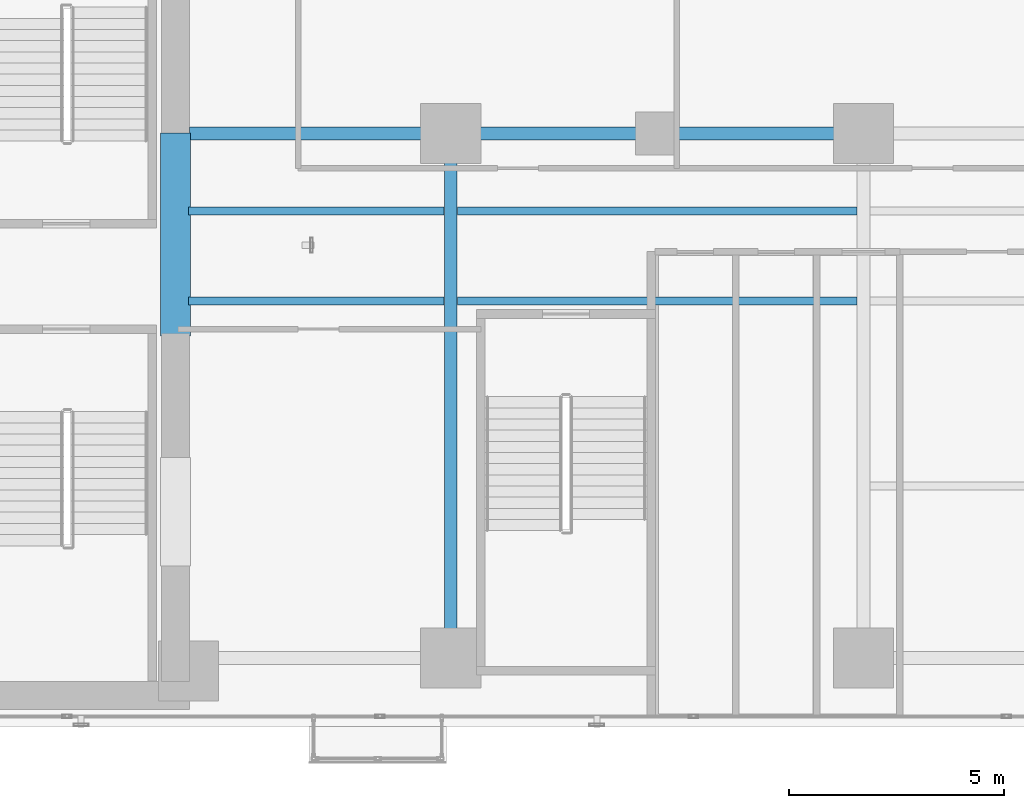
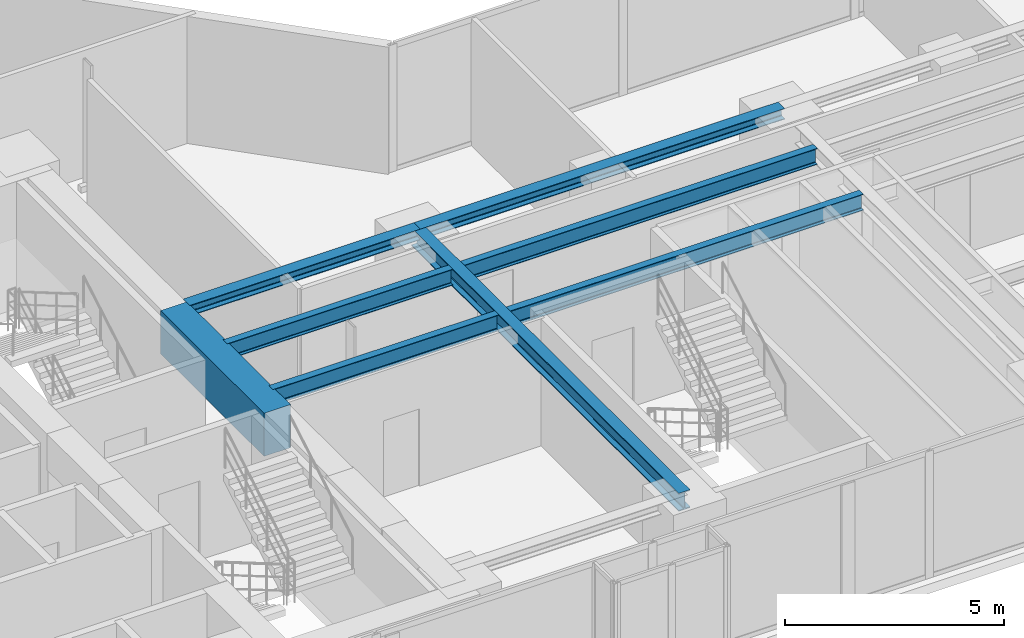
# One storey, part 5 of 24: 8 beams.
"""IFC4 building model written with IfcOpenShell, lengths in metres."""

from ifc_helpers import new_model, si_unit, direction, frame, origin, origin_2d, place, context, subcontext, project, spatial, rectangle, i_section, extrude, material, material_profile, profile_set, type_object, element, save


model = new_model("IFC4")

# Units and contexts
model_context = context("Model", 3, precision=1e-05, world=origin(), true_north=direction((0.0, 1.0)))
body_context = subcontext(model_context, "Body", "Model", "MODEL_VIEW")
ifc_project = project(units=[si_unit("LENGTHUNIT", "METRE"), si_unit("AREAUNIT", "SQUARE_METRE"), si_unit("VOLUMEUNIT", "CUBIC_METRE"), si_unit("PLANEANGLEUNIT", "RADIAN"), si_unit("MASSUNIT", "GRAM", prefix="KILO")], contexts=[model_context])

# Site, building, storey
site_placement = place(None, origin())
site = spatial("IfcSite", under=ifc_project, at=site_placement, CompositionType="ELEMENT")
building_placement = place(site_placement, origin())
building = spatial("IfcBuilding", under=site, at=building_placement, Name="Kolvaren Waterfront Exchange", CompositionType="ELEMENT")
storey_placement = place(building_placement, frame((0.0, 0.0, 91.699951171875)))
storey = spatial("IfcBuildingStorey", under=building, at=storey_placement, Name="L23", CompositionType="ELEMENT", Elevation=91.699951171875)

# Beams
ifc_material_1 = material(Name="Steel S355", Category="steel")
ifc_material_profile_1 = material_profile(ifc_material_1, i_section(OverallWidth=0.300048828125, OverallDepth=0.300048828125, WebThickness=0.010986328125, FlangeThickness=0.01904296875, FilletRadius=0.027099609375, at=origin_2d()), Name="HEB300")
ifc_profile_set_1 = profile_set([ifc_material_profile_1], Name="Steel S355")
beam_type_1 = type_object("IfcBeamType", Name="STR-BM-HEB300", PredefinedType="SPANDREL", material=ifc_profile_set_1)
beam_1_placement = place(storey_placement, frame((21.125, 17.39990234375, 3.39013671875), z_axis=(1.0, 0.0, 0.0), x_axis=(0.0, 1.0, 0.0)))
element("IfcBeam", 1, at=beam_1_placement, inside=storey, type_object=beam_type_1, Name="L23 east-arm spandrel N1", PredefinedType="SPANDREL", context=body_context, shape_type="SweptSolid", body=[
    extrude(i_section(OverallWidth=0.300048828125, OverallDepth=0.300048828125, WebThickness=0.010986328125, FlangeThickness=0.01904296875, FilletRadius=0.027099609375, at=origin_2d()), origin(), (0.0, 0.0, 1.0), 6.074951171875),
])
beam_2_placement = place(storey_placement, frame((27.199951171875, 17.39990234375, 3.39013671875), z_axis=(1.0, 0.0, 0.0), x_axis=(0.0, 1.0, 0.0)))
element("IfcBeam", 2, at=beam_2_placement, inside=storey, type_object=beam_type_1, Name="L23 east-arm spandrel N2", PredefinedType="SPANDREL", context=body_context, shape_type="SweptSolid", body=[
    extrude(i_section(OverallWidth=0.300048828125, OverallDepth=0.300048828125, WebThickness=0.010986328125, FlangeThickness=0.01904296875, FilletRadius=0.027099609375, at=origin_2d()), origin(), (0.0, 0.0, 1.0), 9.60009765625),
])
ifc_material_profile_2 = material_profile(ifc_material_1, i_section(OverallWidth=0.300048828125, OverallDepth=0.5, WebThickness=0.014404296875, FlangeThickness=0.028076171875, FilletRadius=0.027099609375, at=origin_2d()), Name="HEB500")
ifc_profile_set_2 = profile_set([ifc_material_profile_2], Name="Steel S355")
beam_type_2 = type_object("IfcBeamType", Name="STR-BM-HEB500", PredefinedType="BEAM", material=ifc_profile_set_2)
beam_3_placement = place(storey_placement, frame((27.199951171875, 5.199951171875, 3.2900390625), z_axis=(0.0, 1.0, 0.0), x_axis=(-1.0, 0.0, 0.0)))
element("IfcBeam", 3, at=beam_3_placement, inside=storey, type_object=beam_type_2, Name="L23 east-arm transverse girder X27", PredefinedType="BEAM", context=body_context, shape_type="SweptSolid", body=[
    extrude(i_section(OverallWidth=0.300048828125, OverallDepth=0.5, WebThickness=0.014404296875, FlangeThickness=0.028076171875, FilletRadius=0.027099609375, at=origin_2d()), origin(), (0.0, 0.0, 1.0), 12.199951171875),
])
ifc_material_profile_3 = material_profile(ifc_material_1, i_section(OverallWidth=0.18994140625, OverallDepth=0.449951171875, WebThickness=0.009521484375, FlangeThickness=0.0146484375, FilletRadius=0.02099609375, at=origin_2d()), Name="IPE450")
ifc_profile_set_3 = profile_set([ifc_material_profile_3], Name="Steel S355")
beam_type_3 = type_object("IfcBeamType", Name="STR-BM-IPE450", PredefinedType="JOIST", material=ifc_profile_set_3)
for number, where, z_axis, x_axis, name in (
    (4, (21.10009765625, 13.5, 3.31494140625), (1.0, 0.0, 0.0), (0.0, 1.0, 0.0), "L23 east-arm composite joist 1A"),
    (5, (21.10009765625, 15.60009765625, 3.31494140625), (1.0, 0.0, 0.0), (0.0, 1.0, 0.0), "L23 east-arm composite joist 1C"),
):
    element("IfcBeam", number, at=place(storey_placement, frame(where, z_axis=z_axis, x_axis=x_axis)), inside=storey, type_object=beam_type_3, Name=name, PredefinedType="JOIST", context=body_context, shape_type="SweptSolid", body=[
        extrude(i_section(OverallWidth=0.18994140625, OverallDepth=0.449951171875, WebThickness=0.009521484375, FlangeThickness=0.0146484375, FilletRadius=0.02099609375, at=origin_2d()), origin(), (0.0, 0.0, 1.0), 5.947998046875),
    ])
for number, where, z_axis, x_axis, name in (
    (6, (27.35205078125, 13.5, 3.31494140625), (1.0, 0.0, 0.0), (0.0, 1.0, 0.0), "L23 east-arm composite joist 2A"),
    (7, (27.35205078125, 15.60009765625, 3.31494140625), (1.0, 0.0, 0.0), (0.0, 1.0, 0.0), "L23 east-arm composite joist 2C"),
):
    element("IfcBeam", number, at=place(storey_placement, frame(where, z_axis=z_axis, x_axis=x_axis)), inside=storey, type_object=beam_type_3, Name=name, PredefinedType="JOIST", context=body_context, shape_type="SweptSolid", body=[
        extrude(i_section(OverallWidth=0.18994140625, OverallDepth=0.449951171875, WebThickness=0.009521484375, FlangeThickness=0.0146484375, FilletRadius=0.02099609375, at=origin_2d()), origin(), (0.0, 0.0, 1.0), 9.2958984375),
    ])
ifc_material_2 = material(Name="Concrete C70/85", Category="concrete")
ifc_material_profile_4 = material_profile(ifc_material_2, rectangle(XDim=0.699951171875, YDim=1.199951171875, at=origin_2d()), Name="RC-CB-1200x700")
ifc_profile_set_4 = profile_set([ifc_material_profile_4], Name="Concrete C70/85")
beam_type_4 = type_object("IfcBeamType", Name="STR-CB-1200", PredefinedType="SPANDREL", material=ifc_profile_set_4)
beam_4_placement = place(storey_placement, frame((20.800048828125, 12.68994140625, 2.93994140625), z_axis=(0.0, 1.0, 0.0), x_axis=(-1.0, 0.0, 0.0)))
element("IfcBeam", 8, at=beam_4_placement, inside=storey, type_object=beam_type_4, Name="L23 core coupling beam 2", PredefinedType="SPANDREL", context=body_context, shape_type="SweptSolid", body=[
    extrude(rectangle(XDim=0.699951171875, YDim=1.199951171875, at=origin_2d()), origin(), (0.0, 0.0, 1.0), 4.719970703125),
])

save(model, "model.ifc")
